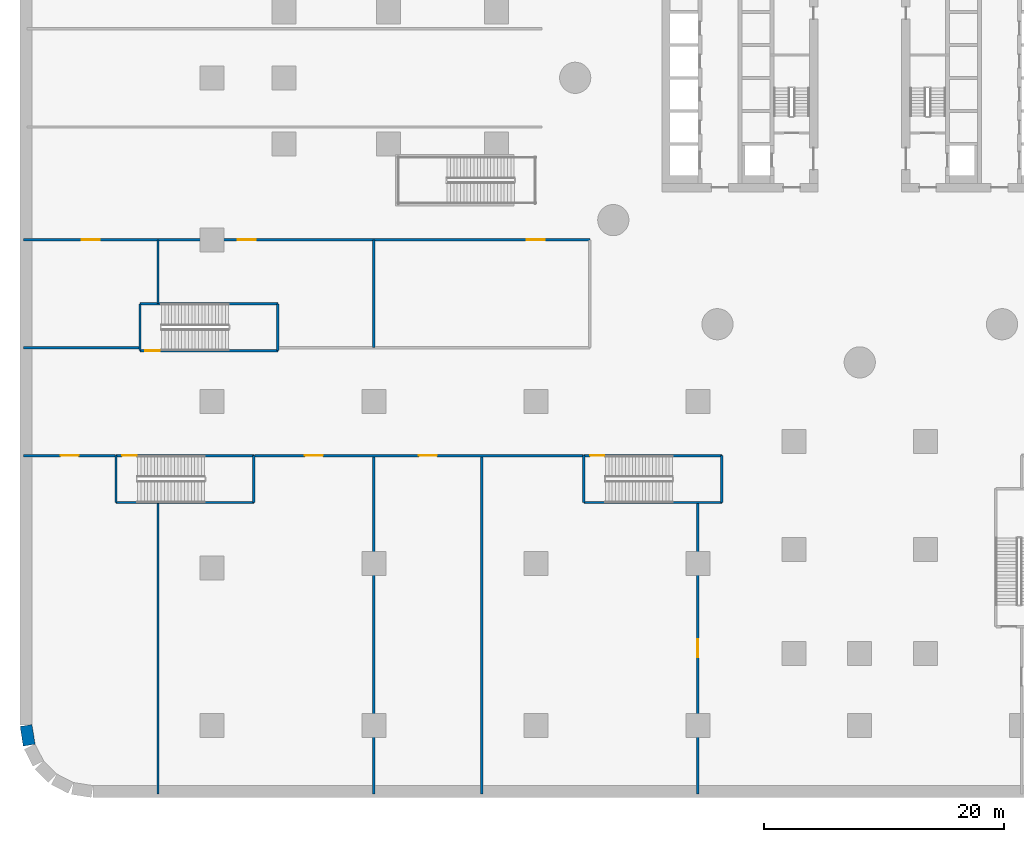
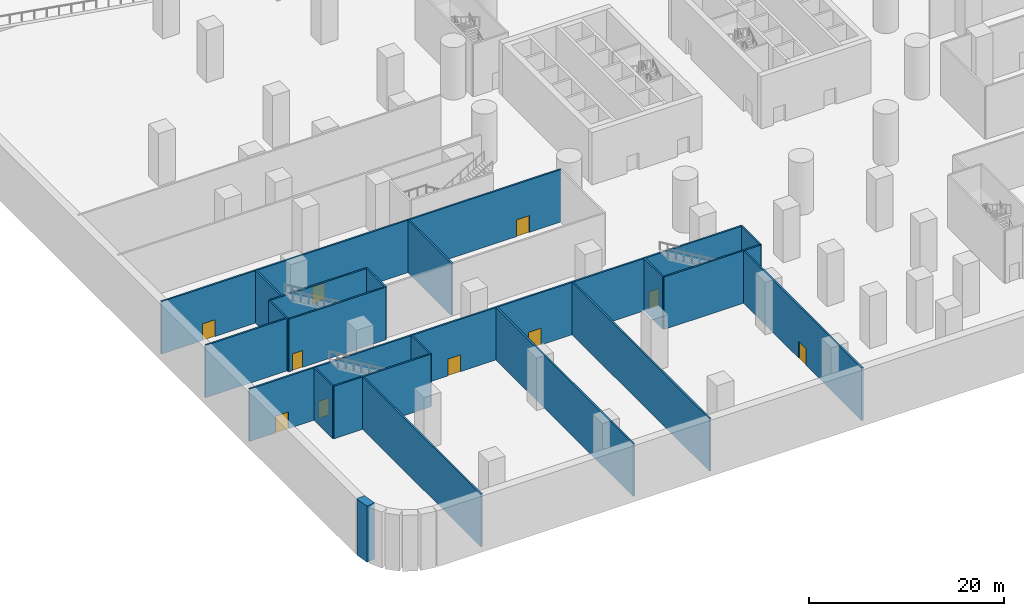
# One storey, part 2 of 30: 23 walls, 10 doors, 10 openings.
"""IFC4 building model written with IfcOpenShell, lengths in metres."""

from ifc_helpers import new_model, si_unit, direction, frame, frame_2d, origin, place, context, subcontext, project, spatial, rectangle, extrude, material, layer, layer_set, type_object, element, fill, save


model = new_model("IFC4")

# Units and contexts
model_context = context("Model", 3, precision=1e-05, world=origin(), true_north=direction((0.0, 1.0)))
body_context = subcontext(model_context, "Body", "Model", "MODEL_VIEW")
ifc_project = project(units=[si_unit("LENGTHUNIT", "METRE"), si_unit("AREAUNIT", "SQUARE_METRE"), si_unit("VOLUMEUNIT", "CUBIC_METRE"), si_unit("PLANEANGLEUNIT", "RADIAN"), si_unit("MASSUNIT", "GRAM", prefix="KILO")], contexts=[model_context])

# Site, building, storey
site_placement = place(None, origin())
site = spatial("IfcSite", under=ifc_project, at=site_placement, CompositionType="ELEMENT")
building_placement = place(site_placement, origin())
building = spatial("IfcBuilding", under=site, at=building_placement, Name="Tamarind Cross Interchange Tower", CompositionType="ELEMENT")
storey_placement = place(building_placement, frame((0.0, 0.0, -14.0)))
storey = spatial("IfcBuildingStorey", under=building, at=storey_placement, Name="B2", CompositionType="ELEMENT", Elevation=-14.0)

# Wall
ifc_material_1 = material(Name="Concrete C40", Category="concrete")
ifc_layer_1 = layer(ifc_material_1, 1.0)
ifc_layer_set_1 = layer_set([ifc_layer_1], Name="Concrete C40")
wall_type_1 = type_object("IfcWallType", Name="Basement wall 1000 Concrete C40", PredefinedType="SOLIDWALL", material=ifc_layer_set_1)
wall_1_placement = place(storey_placement, frame((-69.235595703125, -55.629638671875, -0.449951171875), z_axis=(0.0, 0.0, 1.0), x_axis=(-0.156430639922, 0.987688946427, 0.0)))
element("IfcWall", 1, at=wall_1_placement, inside=storey, type_object=wall_type_1, Name="Basement wall B2-6", PredefinedType="SOLIDWALL", context=body_context, shape_type="SweptSolid", body=[
    extrude(rectangle(XDim=1.66064453125, YDim=1.0, at=frame_2d((0.830322265625, 0.0))), origin(), (0.0, 0.0, 1.0), 7.0),
])

# Wall, opening, door
ifc_material_2 = material(Name="Masonry partition, fire-rated", Category="masonry")
ifc_layer_2 = layer(ifc_material_2, 0.199951171875)
ifc_layer_set_2 = layer_set([ifc_layer_2], Name="Masonry partition, fire-rated")
wall_type_2 = type_object("IfcWallType", Name="Fire partition 200 EI 120", PredefinedType="PARTITIONING", material=ifc_layer_set_2)
wall_2_placement = place(storey_placement, frame((-69.698974609375, -31.5, 0.0), z_axis=(0.0, 0.0, 1.0), x_axis=(1.0, 0.0, 0.0)))
wall_2 = element("IfcWall", 2, at=wall_2_placement, inside=storey, type_object=wall_type_2, Name="B2 partition 53", PredefinedType="PARTITIONING", context=body_context, shape_type="SweptSolid", body=[
    extrude(rectangle(XDim=7.6689453125, YDim=0.199951171875, at=frame_2d((3.83447265625, 0.0))), origin(), (0.0, 0.0, 1.0), 6.550048828125),
])
opening_1_placement = place(wall_2_placement, frame((3.089111328125, 0.0, 0.0)))
opening_1 = element("IfcOpeningElement", 3, at=opening_1_placement, cuts=wall_2, Name="Opening DB2-20", PredefinedType="OPENING", context=body_context, shape_type="SweptSolid", body=[
    extrude(rectangle(XDim=1.5, YDim=2.10009765625, at=frame_2d((0.75, 1.050048828125))), frame((0.0, 0.10986328125, 0.0), z_axis=(0.0, -1.0, 0.0), x_axis=(1.0, 0.0, 0.0)), (0.0, 0.0, 1.0), 0.219970703125),
])
ifc_material_3 = material(Name="Steel, fire-resisting", Category="steel")
door_type_1 = type_object("IfcDoorType", Name="Podium door 1500 x 2100 FD90", OperationType="SINGLE_SWING_LEFT", PredefinedType="DOOR", material=ifc_material_3)
door_1_placement = place(opening_1_placement, origin())
door_1 = element("IfcDoor", 4, at=door_1_placement, inside=storey, type_object=door_type_1, Name="B2 door Electrical Switch Room B207", OperationType="SINGLE_SWING_RIGHT", OverallHeight=2.10009765625, OverallWidth=1.5, PredefinedType="DOOR", context=body_context, shape_type="SweptSolid", body=[
    extrude(rectangle(XDim=1.5, YDim=2.10009765625, at=frame_2d((0.75, 1.050048828125))), frame((0.0, 0.02490234375, 0.0), z_axis=(0.0, -1.0, 0.0), x_axis=(1.0, 0.0, 0.0)), (0.0, 0.0, 1.0), 0.050048828125),
])
fill(opening_1, door_1)

# Wall
wall_3_placement = place(storey_placement, frame((-69.698974609375, -22.5, 0.0), z_axis=(0.0, 0.0, 1.0), x_axis=(1.0, 0.0, 0.0)))
element("IfcWall", 5, at=wall_3_placement, inside=storey, type_object=wall_type_2, Name="B2 partition 54", PredefinedType="PARTITIONING", context=body_context, shape_type="SweptSolid", body=[
    extrude(rectangle(XDim=9.6689453125, YDim=0.199951171875, at=frame_2d((4.83447265625, 0.0))), origin(), (0.0, 0.0, 1.0), 6.550048828125),
])

# Wall, openings, doors
wall_4_placement = place(storey_placement, frame((-69.698974609375, -13.5, 0.0), z_axis=(0.0, 0.0, 1.0), x_axis=(1.0, 0.0, 0.0)))
wall_4 = element("IfcWall", 6, at=wall_4_placement, inside=storey, type_object=wall_type_2, Name="B2 partition 55", PredefinedType="PARTITIONING", context=body_context, shape_type="SweptSolid", body=[
    extrude(rectangle(XDim=47.198974609375, YDim=0.199951171875, at=frame_2d((23.599609375, 0.0))), origin(), (0.0, 0.0, 1.0), 6.550048828125),
])
opening_2_placement = place(wall_4_placement, frame((41.948974609375, 0.0, 0.0)))
opening_2 = element("IfcOpeningElement", 7, at=opening_2_placement, cuts=wall_4, Name="Opening DB2-14", PredefinedType="OPENING", context=body_context, shape_type="SweptSolid", body=[
    extrude(rectangle(XDim=1.5, YDim=2.10009765625, at=frame_2d((0.75, 1.050048828125))), frame((0.0, 0.10986328125, 0.0), z_axis=(0.0, -1.0, 0.0), x_axis=(1.0, 0.0, 0.0)), (0.0, 0.0, 1.0), 0.219970703125),
])
opening_3_placement = place(wall_4_placement, frame((17.842041015625, 0.0, 0.0)))
opening_3 = element("IfcOpeningElement", 8, at=opening_3_placement, cuts=wall_4, Name="Opening DB2-15", PredefinedType="OPENING", context=body_context, shape_type="SweptSolid", body=[
    extrude(rectangle(XDim=1.5, YDim=2.10009765625, at=frame_2d((0.75, 1.050048828125))), frame((0.0, 0.10986328125, 0.0), z_axis=(0.0, -1.0, 0.0), x_axis=(1.0, 0.0, 0.0)), (0.0, 0.0, 1.0), 0.219970703125),
])
opening_4_placement = place(wall_4_placement, frame((4.839111328125, 0.0, 0.0)))
opening_4 = element("IfcOpeningElement", 9, at=opening_4_placement, cuts=wall_4, Name="Opening DB2-16", PredefinedType="OPENING", context=body_context, shape_type="SweptSolid", body=[
    extrude(rectangle(XDim=1.5, YDim=2.10009765625, at=frame_2d((0.75, 1.050048828125))), frame((0.0, 0.10986328125, 0.0), z_axis=(0.0, -1.0, 0.0), x_axis=(1.0, 0.0, 0.0)), (0.0, 0.0, 1.0), 0.219970703125),
])
door_type_2 = type_object("IfcDoorType", Name="Podium door 1500 x 2100 FD60", OperationType="SINGLE_SWING_LEFT", PredefinedType="DOOR", material=ifc_material_3)
door_2_placement = place(opening_3_placement, origin())
door_2 = element("IfcDoor", 10, at=door_2_placement, inside=storey, type_object=door_type_2, Name="B2 door Fire Pump Room B202", OperationType="SINGLE_SWING_LEFT", OverallHeight=2.10009765625, OverallWidth=1.5, PredefinedType="DOOR", context=body_context, shape_type="SweptSolid", body=[
    extrude(rectangle(XDim=1.5, YDim=2.10009765625, at=frame_2d((0.75, 1.050048828125))), frame((0.0, 0.02490234375, 0.0), z_axis=(0.0, -1.0, 0.0), x_axis=(1.0, 0.0, 0.0)), (0.0, 0.0, 1.0), 0.050048828125),
])
fill(opening_3, door_2)
door_3_placement = place(opening_4_placement, origin())
door_3 = element("IfcDoor", 11, at=door_3_placement, inside=storey, type_object=door_type_2, Name="B2 door Water Tank Room B203", OperationType="SINGLE_SWING_RIGHT", OverallHeight=2.10009765625, OverallWidth=1.5, PredefinedType="DOOR", context=body_context, shape_type="SweptSolid", body=[
    extrude(rectangle(XDim=1.5, YDim=2.10009765625, at=frame_2d((0.75, 1.050048828125))), frame((0.0, 0.02490234375, 0.0), z_axis=(0.0, -1.0, 0.0), x_axis=(1.0, 0.0, 0.0)), (0.0, 0.0, 1.0), 0.050048828125),
])
fill(opening_4, door_3)
door_4_placement = place(opening_2_placement, origin())
door_4 = element("IfcDoor", 12, at=door_4_placement, inside=storey, type_object=door_type_1, Name="B2 door Electrical Switch Room B201", OperationType="SINGLE_SWING_RIGHT", OverallHeight=2.10009765625, OverallWidth=1.5, PredefinedType="DOOR", context=body_context, shape_type="SweptSolid", body=[
    extrude(rectangle(XDim=1.5, YDim=2.10009765625, at=frame_2d((0.75, 1.050048828125))), frame((0.0, 0.02490234375, 0.0), z_axis=(0.0, -1.0, 0.0), x_axis=(1.0, 0.0, 0.0)), (0.0, 0.0, 1.0), 0.050048828125),
])
fill(opening_2, door_4)

# Walls
wall_5_placement = place(storey_placement, frame((-58.5, -59.698974609375, 0.0), z_axis=(0.0, 0.0, 1.0), x_axis=(0.0, 1.0, 0.0)))
element("IfcWall", 13, at=wall_5_placement, inside=storey, type_object=wall_type_2, Name="B2 partition 56", PredefinedType="PARTITIONING", context=body_context, shape_type="SweptSolid", body=[
    extrude(rectangle(XDim=24.26904296875, YDim=0.199951171875, at=frame_2d((12.134521484375, 0.0))), origin(), (0.0, 0.0, 1.0), 6.550048828125),
])
wall_6_placement = place(storey_placement, frame((-58.5, -18.820068359375, 0.0), z_axis=(0.0, 0.0, 1.0), x_axis=(0.0, 1.0, 0.0)))
element("IfcWall", 14, at=wall_6_placement, inside=storey, type_object=wall_type_2, Name="B2 partition 57", PredefinedType="PARTITIONING", context=body_context, shape_type="SweptSolid", body=[
    extrude(rectangle(XDim=5.320068359375, YDim=0.199951171875, at=frame_2d((2.66015625, 0.0))), origin(), (0.0, 0.0, 1.0), 6.550048828125),
])

# Wall, openings, doors
wall_7_placement = place(storey_placement, frame((-50.469970703125, -31.5, 0.0), z_axis=(0.0, 0.0, 1.0), x_axis=(1.0, 0.0, 0.0)))
wall_7 = element("IfcWall", 15, at=wall_7_placement, inside=storey, type_object=wall_type_2, Name="B2 partition 58", PredefinedType="PARTITIONING", context=body_context, shape_type="SweptSolid", body=[
    extrude(rectangle(XDim=27.43994140625, YDim=0.199951171875, at=frame_2d((13.719970703125, 0.0))), origin(), (0.0, 0.0, 1.0), 6.550048828125),
])
opening_5_placement = place(wall_7_placement, frame((13.72998046875, 0.0, 0.0)))
opening_5 = element("IfcOpeningElement", 16, at=opening_5_placement, cuts=wall_7, Name="Opening DB2-18", PredefinedType="OPENING", context=body_context, shape_type="SweptSolid", body=[
    extrude(rectangle(XDim=1.5, YDim=2.10009765625, at=frame_2d((0.75, 1.050048828125))), frame((0.0, 0.10986328125, 0.0), z_axis=(0.0, -1.0, 0.0), x_axis=(1.0, 0.0, 0.0)), (0.0, 0.0, 1.0), 0.219970703125),
])
opening_6_placement = place(wall_7_placement, frame((4.219970703125, 0.0, 0.0)))
opening_6 = element("IfcOpeningElement", 17, at=opening_6_placement, cuts=wall_7, Name="Opening DB2-19", PredefinedType="OPENING", context=body_context, shape_type="SweptSolid", body=[
    extrude(rectangle(XDim=1.5, YDim=2.10009765625, at=frame_2d((0.75, 1.050048828125))), frame((0.0, 0.10986328125, 0.0), z_axis=(0.0, -1.0, 0.0), x_axis=(1.0, 0.0, 0.0)), (0.0, 0.0, 1.0), 0.219970703125),
])
door_5_placement = place(opening_5_placement, origin())
door_5 = element("IfcDoor", 18, at=door_5_placement, inside=storey, type_object=door_type_1, Name="B2 door Smoke Extract Plant Room B205", OperationType="SINGLE_SWING_RIGHT", OverallHeight=2.10009765625, OverallWidth=1.5, PredefinedType="DOOR", context=body_context, shape_type="SweptSolid", body=[
    extrude(rectangle(XDim=1.5, YDim=2.10009765625, at=frame_2d((0.75, 1.050048828125))), frame((0.0, 0.02490234375, 0.0), z_axis=(0.0, -1.0, 0.0), x_axis=(1.0, 0.0, 0.0)), (0.0, 0.0, 1.0), 0.050048828125),
])
fill(opening_5, door_5)
door_6_placement = place(opening_6_placement, origin())
door_6 = element("IfcDoor", 19, at=door_6_placement, inside=storey, type_object=door_type_1, Name="B2 door Generator Room B206", OperationType="SINGLE_SWING_LEFT", OverallHeight=2.10009765625, OverallWidth=1.5, PredefinedType="DOOR", context=body_context, shape_type="SweptSolid", body=[
    extrude(rectangle(XDim=1.5, YDim=2.10009765625, at=frame_2d((0.75, 1.050048828125))), frame((0.0, 0.02490234375, 0.0), z_axis=(0.0, -1.0, 0.0), x_axis=(1.0, 0.0, 0.0)), (0.0, 0.0, 1.0), 0.050048828125),
])
fill(opening_6, door_6)

# Walls
wall_8_placement = place(storey_placement, frame((-40.5, -59.698974609375, 0.0), z_axis=(0.0, 0.0, 1.0), x_axis=(0.0, 1.0, 0.0)))
element("IfcWall", 20, at=wall_8_placement, inside=storey, type_object=wall_type_2, Name="B2 partition 60", PredefinedType="PARTITIONING", context=body_context, shape_type="SweptSolid", body=[
    extrude(rectangle(XDim=28.198974609375, YDim=0.199951171875, at=frame_2d((14.099609375, 0.0))), origin(), (0.0, 0.0, 1.0), 6.550048828125),
])
wall_9_placement = place(storey_placement, frame((-40.5, -22.5, 0.0), z_axis=(0.0, 0.0, 1.0), x_axis=(0.0, 1.0, 0.0)))
element("IfcWall", 21, at=wall_9_placement, inside=storey, type_object=wall_type_2, Name="B2 partition 62", PredefinedType="PARTITIONING", context=body_context, shape_type="SweptSolid", body=[
    extrude(rectangle(XDim=9.0, YDim=0.199951171875, at=frame_2d((4.5, 0.0))), origin(), (0.0, 0.0, 1.0), 6.550048828125),
])
wall_10_placement = place(storey_placement, frame((-31.5, -59.698974609375, 0.0), z_axis=(0.0, 0.0, 1.0), x_axis=(0.0, 1.0, 0.0)))
element("IfcWall", 22, at=wall_10_placement, inside=storey, type_object=wall_type_2, Name="B2 partition 63", PredefinedType="PARTITIONING", context=body_context, shape_type="SweptSolid", body=[
    extrude(rectangle(XDim=28.198974609375, YDim=0.199951171875, at=frame_2d((14.099609375, 0.0))), origin(), (0.0, 0.0, 1.0), 6.550048828125),
])

# Wall, opening, door
wall_11_placement = place(storey_placement, frame((-13.5, -59.698974609375, 0.0), z_axis=(0.0, 0.0, 1.0), x_axis=(0.0, 1.0, 0.0)))
wall_11 = element("IfcWall", 23, at=wall_11_placement, inside=storey, type_object=wall_type_2, Name="B2 partition 64", PredefinedType="PARTITIONING", context=body_context, shape_type="SweptSolid", body=[
    extrude(rectangle(XDim=24.26904296875, YDim=0.199951171875, at=frame_2d((12.134521484375, 0.0))), origin(), (0.0, 0.0, 1.0), 6.550048828125),
])
opening_7_placement = place(wall_11_placement, frame((11.39892578125, 0.0, 0.0)))
opening_7 = element("IfcOpeningElement", 24, at=opening_7_placement, cuts=wall_11, Name="Opening DB2-17", PredefinedType="OPENING", context=body_context, shape_type="SweptSolid", body=[
    extrude(rectangle(XDim=1.5, YDim=2.10009765625, at=frame_2d((0.75, 1.050048828125))), frame((0.0, 0.10986328125, 0.0), z_axis=(0.0, -1.0, 0.0), x_axis=(1.0, 0.0, 0.0)), (0.0, 0.0, 1.0), 0.219970703125),
])
door_7_placement = place(opening_7_placement, origin())
door_7 = element("IfcDoor", 25, at=door_7_placement, inside=storey, type_object=door_type_1, Name="B2 door Air Handling Plant Room B204", OperationType="SINGLE_SWING_LEFT", OverallHeight=2.10009765625, OverallWidth=1.5, PredefinedType="DOOR", context=body_context, shape_type="SweptSolid", body=[
    extrude(rectangle(XDim=1.5, YDim=2.10009765625, at=frame_2d((0.75, 1.050048828125))), frame((0.0, 0.02490234375, 0.0), z_axis=(0.0, -1.0, 0.0), x_axis=(1.0, 0.0, 0.0)), (0.0, 0.0, 1.0), 0.050048828125),
])
fill(opening_7, door_7)

ifc_layer_3 = layer(ifc_material_1, 0.199951171875)
ifc_layer_set_3 = layer_set([ifc_layer_3], Name="Concrete C40")
wall_type_3 = type_object("IfcWallType", Name="Stair shaft wall 200 EI 180", PredefinedType="PARTITIONING", material=ifc_layer_set_3)
wall_12_placement = place(storey_placement, frame((-62.0, -31.5, 0.0), z_axis=(0.0, 0.0, 1.0), x_axis=(1.0, 0.0, 0.0)))
wall_12 = element("IfcWall", 26, at=wall_12_placement, inside=storey, type_object=wall_type_3, Name="B2 stair shaft wall 5", PredefinedType="PARTITIONING", context=body_context, shape_type="SweptSolid", body=[
    extrude(rectangle(XDim=11.5, YDim=0.199951171875, at=frame_2d((5.75, 0.0))), origin(), (0.0, 0.0, 1.0), 6.550048828125),
])
opening_8_placement = place(wall_12_placement, frame((0.52001953125, 0.0, 0.0)))
opening_8 = element("IfcOpeningElement", 27, at=opening_8_placement, cuts=wall_12, Name="Opening DB2-08", PredefinedType="OPENING", context=body_context, shape_type="SweptSolid", body=[
    extrude(rectangle(XDim=1.199951171875, YDim=2.10009765625, at=frame_2d((0.60009765625, 1.050048828125))), frame((0.0, 0.10986328125, 0.0), z_axis=(0.0, -1.0, 0.0), x_axis=(1.0, 0.0, 0.0)), (0.0, 0.0, 1.0), 0.219970703125),
])
door_type_3 = type_object("IfcDoorType", Name="Podium door 1200 x 2100 FD90", OperationType="SINGLE_SWING_LEFT", PredefinedType="DOOR", material=ifc_material_3)
door_8_placement = place(opening_8_placement, origin())
door_8 = element("IfcDoor", 28, at=door_8_placement, inside=storey, type_object=door_type_3, Name="B2 door Exit Stair PX7", OperationType="SINGLE_SWING_RIGHT", OverallHeight=2.10009765625, OverallWidth=1.199951171875, PredefinedType="DOOR", context=body_context, shape_type="SweptSolid", body=[
    extrude(rectangle(XDim=1.199951171875, YDim=2.10009765625, at=frame_2d((0.60009765625, 1.050048828125))), frame((0.0, 0.02490234375, 0.0), z_axis=(0.0, -1.0, 0.0), x_axis=(1.0, 0.0, 0.0)), (0.0, 0.0, 1.0), 0.050048828125),
])
fill(opening_8, door_8)

# Walls
wall_13_placement = place(storey_placement, frame((-50.5, -35.39990234375, 0.0), z_axis=(0.0, 0.0, 1.0), x_axis=(0.0, 1.0, 0.0)))
element("IfcWall", 29, at=wall_13_placement, inside=storey, type_object=wall_type_3, Name="B2 stair shaft wall 6", PredefinedType="PARTITIONING", context=body_context, shape_type="SweptSolid", body=[
    extrude(rectangle(XDim=3.89990234375, YDim=0.199951171875, at=frame_2d((1.949951171875, 0.0))), origin(), (0.0, 0.0, 1.0), 6.550048828125),
])
wall_14_placement = place(storey_placement, frame((-62.0, -35.39990234375, 0.0), z_axis=(0.0, 0.0, 1.0), x_axis=(1.0, 0.0, 0.0)))
element("IfcWall", 30, at=wall_14_placement, inside=storey, type_object=wall_type_3, Name="B2 stair shaft wall 7", PredefinedType="PARTITIONING", context=body_context, shape_type="SweptSolid", body=[
    extrude(rectangle(XDim=11.5, YDim=0.199951171875, at=frame_2d((5.75, 0.0))), origin(), (0.0, 0.0, 1.0), 6.550048828125),
])
wall_15_placement = place(storey_placement, frame((-62.0, -35.39990234375, 0.0), z_axis=(0.0, 0.0, 1.0), x_axis=(0.0, 1.0, 0.0)))
element("IfcWall", 31, at=wall_15_placement, inside=storey, type_object=wall_type_3, Name="B2 stair shaft wall 8", PredefinedType="PARTITIONING", context=body_context, shape_type="SweptSolid", body=[
    extrude(rectangle(XDim=3.89990234375, YDim=0.199951171875, at=frame_2d((1.949951171875, 0.0))), origin(), (0.0, 0.0, 1.0), 6.550048828125),
])
wall_16_placement = place(storey_placement, frame((-60.0, -18.85009765625, 0.0), z_axis=(0.0, 0.0, 1.0), x_axis=(1.0, 0.0, 0.0)))
element("IfcWall", 32, at=wall_16_placement, inside=storey, type_object=wall_type_3, Name="B2 stair shaft wall 9", PredefinedType="PARTITIONING", context=body_context, shape_type="SweptSolid", body=[
    extrude(rectangle(XDim=11.5, YDim=0.199951171875, at=frame_2d((5.75, 0.0))), origin(), (0.0, 0.0, 1.0), 6.550048828125),
])
wall_17_placement = place(storey_placement, frame((-48.5, -22.75, 0.0), z_axis=(0.0, 0.0, 1.0), x_axis=(0.0, 1.0, 0.0)))
element("IfcWall", 33, at=wall_17_placement, inside=storey, type_object=wall_type_3, Name="B2 stair shaft wall 10", PredefinedType="PARTITIONING", context=body_context, shape_type="SweptSolid", body=[
    extrude(rectangle(XDim=3.89990234375, YDim=0.199951171875, at=frame_2d((1.949951171875, 0.0))), origin(), (0.0, 0.0, 1.0), 6.550048828125),
])

# Wall, opening, door
wall_18_placement = place(storey_placement, frame((-60.0, -22.75, 0.0), z_axis=(0.0, 0.0, 1.0), x_axis=(1.0, 0.0, 0.0)))
wall_18 = element("IfcWall", 34, at=wall_18_placement, inside=storey, type_object=wall_type_3, Name="B2 stair shaft wall 11", PredefinedType="PARTITIONING", context=body_context, shape_type="SweptSolid", body=[
    extrude(rectangle(XDim=11.5, YDim=0.199951171875, at=frame_2d((5.75, 0.0))), origin(), (0.0, 0.0, 1.0), 6.550048828125),
])
opening_9_placement = place(wall_18_placement, frame((0.43896484375, 0.0, 0.0)))
opening_9 = element("IfcOpeningElement", 35, at=opening_9_placement, cuts=wall_18, Name="Opening DB2-09", PredefinedType="OPENING", context=body_context, shape_type="SweptSolid", body=[
    extrude(rectangle(XDim=1.199951171875, YDim=2.10009765625, at=frame_2d((0.60009765625, 1.050048828125))), frame((0.0, 0.10986328125, 0.0), z_axis=(0.0, -1.0, 0.0), x_axis=(1.0, 0.0, 0.0)), (0.0, 0.0, 1.0), 0.219970703125),
])
door_9_placement = place(opening_9_placement, origin())
door_9 = element("IfcDoor", 36, at=door_9_placement, inside=storey, type_object=door_type_3, Name="B2 door Exit Stair PX8", OperationType="SINGLE_SWING_LEFT", OverallHeight=2.10009765625, OverallWidth=1.199951171875, PredefinedType="DOOR", context=body_context, shape_type="SweptSolid", body=[
    extrude(rectangle(XDim=1.199951171875, YDim=2.10009765625, at=frame_2d((0.60009765625, 1.050048828125))), frame((0.0, 0.02490234375, 0.0), z_axis=(0.0, -1.0, 0.0), x_axis=(1.0, 0.0, 0.0)), (0.0, 0.0, 1.0), 0.050048828125),
])
fill(opening_9, door_9)

# Wall
wall_19_placement = place(storey_placement, frame((-60.0, -22.75, 0.0), z_axis=(0.0, 0.0, 1.0), x_axis=(0.0, 1.0, 0.0)))
element("IfcWall", 37, at=wall_19_placement, inside=storey, type_object=wall_type_3, Name="B2 stair shaft wall 12", PredefinedType="PARTITIONING", context=body_context, shape_type="SweptSolid", body=[
    extrude(rectangle(XDim=3.89990234375, YDim=0.199951171875, at=frame_2d((1.949951171875, 0.0))), origin(), (0.0, 0.0, 1.0), 6.550048828125),
])

# Wall, opening, door
wall_20_placement = place(storey_placement, frame((-23.0, -31.5, 0.0), z_axis=(0.0, 0.0, 1.0), x_axis=(1.0, 0.0, 0.0)))
wall_20 = element("IfcWall", 38, at=wall_20_placement, inside=storey, type_object=wall_type_3, Name="B2 stair shaft wall 13", PredefinedType="PARTITIONING", context=body_context, shape_type="SweptSolid", body=[
    extrude(rectangle(XDim=11.5, YDim=0.199951171875, at=frame_2d((5.75, 0.0))), origin(), (0.0, 0.0, 1.0), 6.550048828125),
])
opening_10_placement = place(wall_20_placement, frame((0.52001953125, 0.0, 0.0)))
opening_10 = element("IfcOpeningElement", 39, at=opening_10_placement, cuts=wall_20, Name="Opening DB2-10", PredefinedType="OPENING", context=body_context, shape_type="SweptSolid", body=[
    extrude(rectangle(XDim=1.199951171875, YDim=2.10009765625, at=frame_2d((0.60009765625, 1.050048828125))), frame((0.0, 0.10986328125, 0.0), z_axis=(0.0, -1.0, 0.0), x_axis=(1.0, 0.0, 0.0)), (0.0, 0.0, 1.0), 0.219970703125),
])
door_10_placement = place(opening_10_placement, origin())
door_10 = element("IfcDoor", 40, at=door_10_placement, inside=storey, type_object=door_type_3, Name="B2 door Exit Stair PX9", OperationType="SINGLE_SWING_RIGHT", OverallHeight=2.10009765625, OverallWidth=1.199951171875, PredefinedType="DOOR", context=body_context, shape_type="SweptSolid", body=[
    extrude(rectangle(XDim=1.199951171875, YDim=2.10009765625, at=frame_2d((0.60009765625, 1.050048828125))), frame((0.0, 0.02490234375, 0.0), z_axis=(0.0, -1.0, 0.0), x_axis=(1.0, 0.0, 0.0)), (0.0, 0.0, 1.0), 0.050048828125),
])
fill(opening_10, door_10)

# Walls
wall_21_placement = place(storey_placement, frame((-11.5, -35.39990234375, 0.0), z_axis=(0.0, 0.0, 1.0), x_axis=(0.0, 1.0, 0.0)))
element("IfcWall", 41, at=wall_21_placement, inside=storey, type_object=wall_type_3, Name="B2 stair shaft wall 14", PredefinedType="PARTITIONING", context=body_context, shape_type="SweptSolid", body=[
    extrude(rectangle(XDim=3.89990234375, YDim=0.199951171875, at=frame_2d((1.949951171875, 0.0))), origin(), (0.0, 0.0, 1.0), 6.550048828125),
])
wall_22_placement = place(storey_placement, frame((-23.0, -35.39990234375, 0.0), z_axis=(0.0, 0.0, 1.0), x_axis=(1.0, 0.0, 0.0)))
element("IfcWall", 42, at=wall_22_placement, inside=storey, type_object=wall_type_3, Name="B2 stair shaft wall 15", PredefinedType="PARTITIONING", context=body_context, shape_type="SweptSolid", body=[
    extrude(rectangle(XDim=11.5, YDim=0.199951171875, at=frame_2d((5.75, 0.0))), origin(), (0.0, 0.0, 1.0), 6.550048828125),
])
wall_23_placement = place(storey_placement, frame((-23.0, -35.39990234375, 0.0), z_axis=(0.0, 0.0, 1.0), x_axis=(0.0, 1.0, 0.0)))
element("IfcWall", 43, at=wall_23_placement, inside=storey, type_object=wall_type_3, Name="B2 stair shaft wall 16", PredefinedType="PARTITIONING", context=body_context, shape_type="SweptSolid", body=[
    extrude(rectangle(XDim=3.89990234375, YDim=0.199951171875, at=frame_2d((1.949951171875, 0.0))), origin(), (0.0, 0.0, 1.0), 6.550048828125),
])

save(model, "model.ifc")
